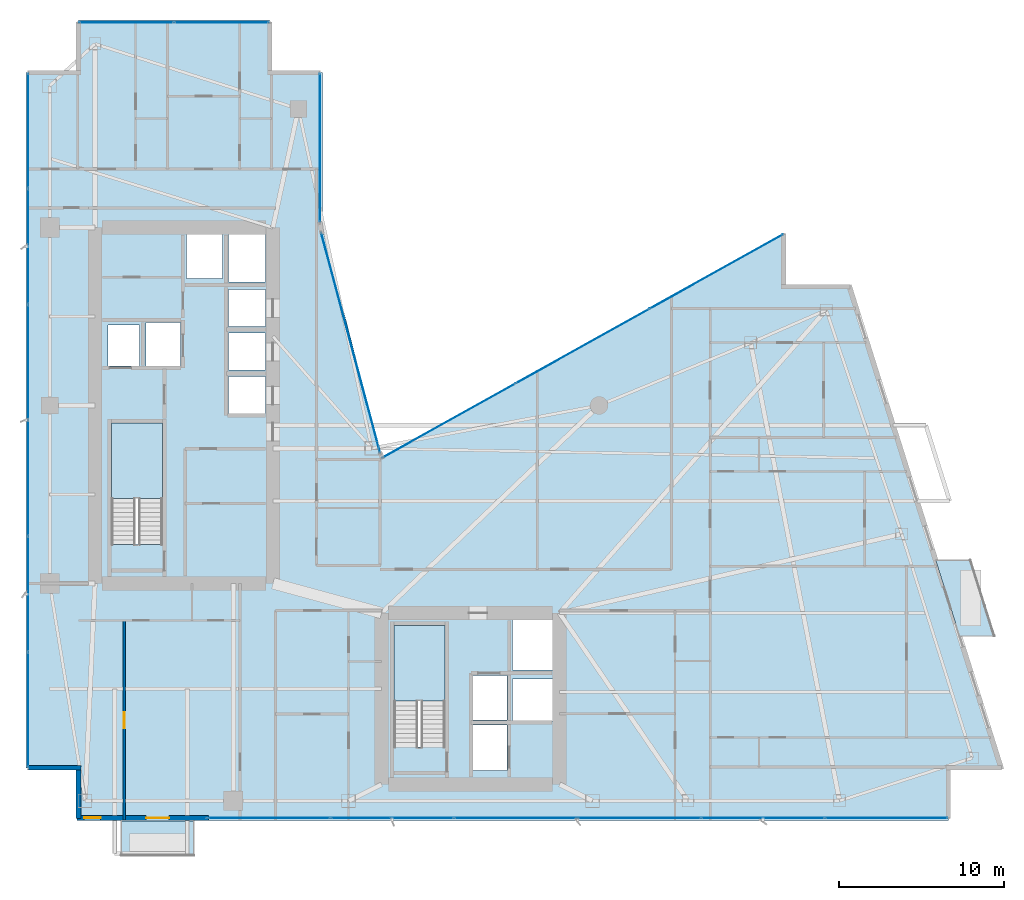
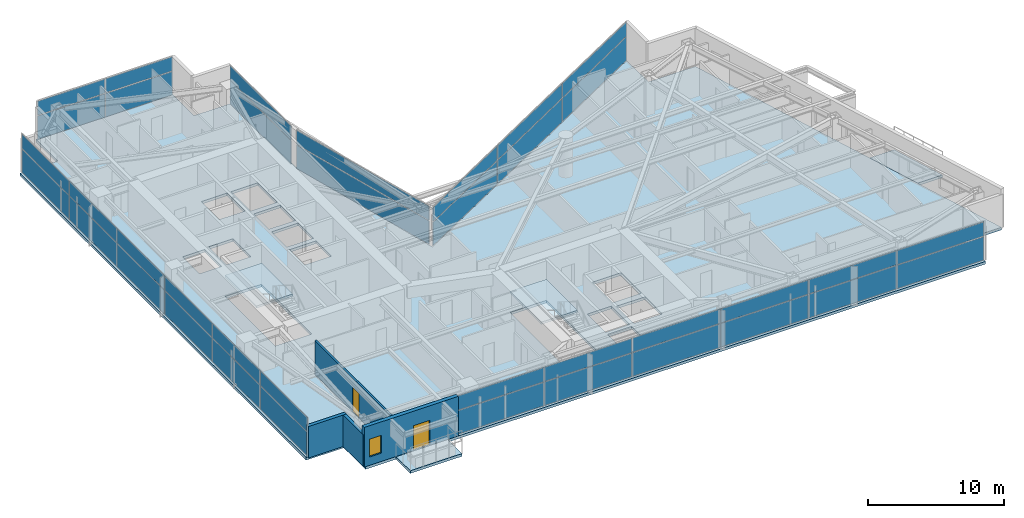
# One storey, part 21 of 28: 38 plates, 5 slabs, 4 walls, 2 doors, 1 window, 3 openings, 8 elements without a shape of their own.
"""IFC4 building model written with IfcOpenShell, lengths in metres."""

from ifc_helpers import new_model, si_unit, direction, frame, frame_2d, origin, origin_2d, place, context, subcontext, project, spatial, polyline, rectangle, outline, extrude, material, layer, layer_set, type_object, element, fill, aggregate, save


model = new_model("IFC4")

# Units and contexts
model_context = context("Model", 3, precision=1e-05, world=origin(), true_north=direction((0.0, 1.0)))
body_context = subcontext(model_context, "Body", "Model", "MODEL_VIEW")
ifc_project = project(units=[si_unit("LENGTHUNIT", "METRE"), si_unit("AREAUNIT", "SQUARE_METRE"), si_unit("VOLUMEUNIT", "CUBIC_METRE"), si_unit("PLANEANGLEUNIT", "RADIAN"), si_unit("MASSUNIT", "GRAM", prefix="KILO")], contexts=[model_context])

# Site, building, storey
site_placement = place(None, origin())
site = spatial("IfcSite", under=ifc_project, at=site_placement, CompositionType="ELEMENT")
building_placement = place(site_placement, origin())
building = spatial("IfcBuilding", under=site, at=building_placement, Name="Calvorn Quay Hotel", CompositionType="ELEMENT")
storey_placement = place(building_placement, frame((0.0, 0.0, 131.60009765625)))
storey = spatial("IfcBuildingStorey", under=building, at=storey_placement, Name="L32", CompositionType="ELEMENT", Elevation=131.60009765625)

# Curtain wall, plates
ifc_material_1 = material(Name="Pale Anodised Aluminium and Low-E Glass", Category="aluminium")
ifc_layer_1 = layer(ifc_material_1, 0.219970703125)
ifc_layer_set_1 = layer_set([ifc_layer_1], Name="CW-SYS-Z2")
curtain_wall_type = type_object("IfcCurtainWallType", Name="CW-SYS-Z2", PredefinedType="NOTDEFINED", material=ifc_layer_set_1)
curtain_wall_1_placement = place(storey_placement, origin())
curtain_wall_1 = element("IfcCurtainWall", 1, at=curtain_wall_1_placement, inside=storey, type_object=curtain_wall_type, Name="Tower West Curtain Wall (L32)", PredefinedType="NOTDEFINED")
ifc_material_2 = material(Name="Low-E Laminated Double Glazing", Category="glass")
ifc_layer_2 = layer(ifc_material_2, 0.028076171875)
ifc_layer_set_2 = layer_set([ifc_layer_2], Name="CW-SYS-Z2-PAN")
plate_type = type_object("IfcPlateType", Name="CW-SYS-Z2-PAN", PredefinedType="CURTAIN_PANEL", material=ifc_layer_set_2)
plate_1_placement = place(storey_placement, frame((0.14990234375, 9.131591796875, 0.06005859375), z_axis=(0.0, 0.0, 1.0), x_axis=(0.0, 1.0, 0.0)))
plate_1 = element("IfcPlate", 2, at=plate_1_placement, type_object=plate_type, Name="CW-L32-W panel 1.1", PredefinedType="CURTAIN_PANEL", context=body_context, shape_type="SweptSolid", body=[
    extrude(rectangle(XDim=6.943359375, YDim=0.028076171875, at=origin_2d()), origin(), (0.0, 0.0, 1.0), 2.110107421875),
])
plate_2_placement = place(storey_placement, frame((0.14990234375, 9.131591796875, 2.22998046875), z_axis=(0.0, 0.0, 1.0), x_axis=(0.0, 1.0, 0.0)))
plate_2 = element("IfcPlate", 3, at=plate_2_placement, type_object=plate_type, Name="CW-L32-W panel 1.2", PredefinedType="CURTAIN_PANEL", context=body_context, shape_type="SweptSolid", body=[
    extrude(rectangle(XDim=6.943359375, YDim=0.028076171875, at=origin_2d()), origin(), (0.0, 0.0, 1.0), 1.27001953125),
])
plate_3_placement = place(storey_placement, frame((0.14990234375, 16.14990234375, 0.06005859375), z_axis=(0.0, 0.0, 1.0), x_axis=(0.0, 1.0, 0.0)))
plate_3 = element("IfcPlate", 4, at=plate_3_placement, type_object=plate_type, Name="CW-L32-W panel 2.1", PredefinedType="CURTAIN_PANEL", context=body_context, shape_type="SweptSolid", body=[
    extrude(rectangle(XDim=6.973388671875, YDim=0.028076171875, at=origin_2d()), origin(), (0.0, 0.0, 1.0), 2.110107421875),
])
plate_4_placement = place(storey_placement, frame((0.14990234375, 16.14990234375, 2.22998046875), z_axis=(0.0, 0.0, 1.0), x_axis=(0.0, 1.0, 0.0)))
plate_4 = element("IfcPlate", 5, at=plate_4_placement, type_object=plate_type, Name="CW-L32-W panel 2.2", PredefinedType="CURTAIN_PANEL", context=body_context, shape_type="SweptSolid", body=[
    extrude(rectangle(XDim=6.973388671875, YDim=0.028076171875, at=origin_2d()), origin(), (0.0, 0.0, 1.0), 1.27001953125),
])
plate_5_placement = place(storey_placement, frame((0.14990234375, 23.183349609375, 0.06005859375), z_axis=(0.0, 0.0, 1.0), x_axis=(0.0, 1.0, 0.0)))
plate_5 = element("IfcPlate", 6, at=plate_5_placement, type_object=plate_type, Name="CW-L32-W panel 3.1", PredefinedType="CURTAIN_PANEL", context=body_context, shape_type="SweptSolid", body=[
    extrude(rectangle(XDim=6.973388671875, YDim=0.028076171875, at=origin_2d()), origin(), (0.0, 0.0, 1.0), 2.110107421875),
])
plate_6_placement = place(storey_placement, frame((0.14990234375, 23.183349609375, 2.22998046875), z_axis=(0.0, 0.0, 1.0), x_axis=(0.0, 1.0, 0.0)))
plate_6 = element("IfcPlate", 7, at=plate_6_placement, type_object=plate_type, Name="CW-L32-W panel 3.2", PredefinedType="CURTAIN_PANEL", context=body_context, shape_type="SweptSolid", body=[
    extrude(rectangle(XDim=6.973388671875, YDim=0.028076171875, at=origin_2d()), origin(), (0.0, 0.0, 1.0), 1.27001953125),
])
plate_7_placement = place(storey_placement, frame((0.14990234375, 30.216552734375, 0.06005859375), z_axis=(0.0, 0.0, 1.0), x_axis=(0.0, 1.0, 0.0)))
plate_7 = element("IfcPlate", 8, at=plate_7_placement, type_object=plate_type, Name="CW-L32-W panel 4.1", PredefinedType="CURTAIN_PANEL", context=body_context, shape_type="SweptSolid", body=[
    extrude(rectangle(XDim=6.973388671875, YDim=0.028076171875, at=origin_2d()), origin(), (0.0, 0.0, 1.0), 2.110107421875),
])
plate_8_placement = place(storey_placement, frame((0.14990234375, 30.216552734375, 2.22998046875), z_axis=(0.0, 0.0, 1.0), x_axis=(0.0, 1.0, 0.0)))
plate_8 = element("IfcPlate", 9, at=plate_8_placement, type_object=plate_type, Name="CW-L32-W panel 4.2", PredefinedType="CURTAIN_PANEL", context=body_context, shape_type="SweptSolid", body=[
    extrude(rectangle(XDim=6.973388671875, YDim=0.028076171875, at=origin_2d()), origin(), (0.0, 0.0, 1.0), 1.27001953125),
])
plate_9_placement = place(storey_placement, frame((0.14990234375, 37.25, 0.06005859375), z_axis=(0.0, 0.0, 1.0), x_axis=(0.0, 1.0, 0.0)))
plate_9 = element("IfcPlate", 10, at=plate_9_placement, type_object=plate_type, Name="CW-L32-W panel 5.1", PredefinedType="CURTAIN_PANEL", context=body_context, shape_type="SweptSolid", body=[
    extrude(rectangle(XDim=6.973388671875, YDim=0.028076171875, at=origin_2d()), origin(), (0.0, 0.0, 1.0), 2.110107421875),
])
plate_10_placement = place(storey_placement, frame((0.14990234375, 37.25, 2.22998046875), z_axis=(0.0, 0.0, 1.0), x_axis=(0.0, 1.0, 0.0)))
plate_10 = element("IfcPlate", 11, at=plate_10_placement, type_object=plate_type, Name="CW-L32-W panel 5.2", PredefinedType="CURTAIN_PANEL", context=body_context, shape_type="SweptSolid", body=[
    extrude(rectangle(XDim=6.973388671875, YDim=0.028076171875, at=origin_2d()), origin(), (0.0, 0.0, 1.0), 1.27001953125),
])
plate_11_placement = place(storey_placement, frame((0.14990234375, 44.268310546875, 0.06005859375), z_axis=(0.0, 0.0, 1.0), x_axis=(0.0, 1.0, 0.0)))
plate_11 = element("IfcPlate", 12, at=plate_11_placement, type_object=plate_type, Name="CW-L32-W panel 6.1", PredefinedType="CURTAIN_PANEL", context=body_context, shape_type="SweptSolid", body=[
    extrude(rectangle(XDim=6.943359375, YDim=0.028076171875, at=origin_2d()), origin(), (0.0, 0.0, 1.0), 2.110107421875),
])
plate_12_placement = place(storey_placement, frame((0.14990234375, 44.268310546875, 2.22998046875), z_axis=(0.0, 0.0, 1.0), x_axis=(0.0, 1.0, 0.0)))
plate_12 = element("IfcPlate", 13, at=plate_12_placement, type_object=plate_type, Name="CW-L32-W panel 6.2", PredefinedType="CURTAIN_PANEL", context=body_context, shape_type="SweptSolid", body=[
    extrude(rectangle(XDim=6.943359375, YDim=0.028076171875, at=origin_2d()), origin(), (0.0, 0.0, 1.0), 1.27001953125),
])
aggregate(curtain_wall_1, [plate_1, plate_2, plate_3, plate_4, plate_5, plate_6, plate_7, plate_8, plate_9, plate_10, plate_11, plate_12])

curtain_wall_2_placement = place(storey_placement, origin())
curtain_wall_2 = element("IfcCurtainWall", 14, at=curtain_wall_2_placement, inside=storey, type_object=curtain_wall_type, Name="Tower South Waterfront Curtain Wall (L32)", PredefinedType="NOTDEFINED")
plate_13_placement = place(storey_placement, frame((14.764892578125, 2.550048828125, 0.06005859375), z_axis=(0.0, 0.0, 1.0), x_axis=(1.0, 0.0, 0.0)))
plate_13 = element("IfcPlate", 15, at=plate_13_placement, type_object=plate_type, Name="CW-L32-S panel 1.1", PredefinedType="CURTAIN_PANEL", context=body_context, shape_type="SweptSolid", body=[
    extrude(rectangle(XDim=7.409912109375, YDim=0.028076171875, at=origin_2d()), origin(), (0.0, 0.0, 1.0), 2.110107421875),
])
plate_14_placement = place(storey_placement, frame((14.764892578125, 2.550048828125, 2.22998046875), z_axis=(0.0, 0.0, 1.0), x_axis=(1.0, 0.0, 0.0)))
plate_14 = element("IfcPlate", 16, at=plate_14_placement, type_object=plate_type, Name="CW-L32-S panel 1.2", PredefinedType="CURTAIN_PANEL", context=body_context, shape_type="SweptSolid", body=[
    extrude(rectangle(XDim=7.409912109375, YDim=0.028076171875, at=origin_2d()), origin(), (0.0, 0.0, 1.0), 1.27001953125),
])
plate_15_placement = place(storey_placement, frame((22.25, 2.550048828125, 0.06005859375), z_axis=(0.0, 0.0, 1.0), x_axis=(1.0, 0.0, 0.0)))
plate_15 = element("IfcPlate", 17, at=plate_15_placement, type_object=plate_type, Name="CW-L32-S panel 2.1", PredefinedType="CURTAIN_PANEL", context=body_context, shape_type="SweptSolid", body=[
    extrude(rectangle(XDim=7.43994140625, YDim=0.028076171875, at=origin_2d()), origin(), (0.0, 0.0, 1.0), 2.110107421875),
])
plate_16_placement = place(storey_placement, frame((22.25, 2.550048828125, 2.22998046875), z_axis=(0.0, 0.0, 1.0), x_axis=(1.0, 0.0, 0.0)))
plate_16 = element("IfcPlate", 18, at=plate_16_placement, type_object=plate_type, Name="CW-L32-S panel 2.2", PredefinedType="CURTAIN_PANEL", context=body_context, shape_type="SweptSolid", body=[
    extrude(rectangle(XDim=7.43994140625, YDim=0.028076171875, at=origin_2d()), origin(), (0.0, 0.0, 1.0), 1.27001953125),
])
plate_17_placement = place(storey_placement, frame((29.75, 2.550048828125, 0.06005859375), z_axis=(0.0, 0.0, 1.0), x_axis=(1.0, 0.0, 0.0)))
plate_17 = element("IfcPlate", 19, at=plate_17_placement, type_object=plate_type, Name="CW-L32-S panel 3.1", PredefinedType="CURTAIN_PANEL", context=body_context, shape_type="SweptSolid", body=[
    extrude(rectangle(XDim=7.43994140625, YDim=0.028076171875, at=origin_2d()), origin(), (0.0, 0.0, 1.0), 2.110107421875),
])
plate_18_placement = place(storey_placement, frame((29.75, 2.550048828125, 2.22998046875), z_axis=(0.0, 0.0, 1.0), x_axis=(1.0, 0.0, 0.0)))
plate_18 = element("IfcPlate", 20, at=plate_18_placement, type_object=plate_type, Name="CW-L32-S panel 3.2", PredefinedType="CURTAIN_PANEL", context=body_context, shape_type="SweptSolid", body=[
    extrude(rectangle(XDim=7.43994140625, YDim=0.028076171875, at=origin_2d()), origin(), (0.0, 0.0, 1.0), 1.27001953125),
])
plate_19_placement = place(storey_placement, frame((37.25, 2.550048828125, 0.06005859375), z_axis=(0.0, 0.0, 1.0), x_axis=(1.0, 0.0, 0.0)))
plate_19 = element("IfcPlate", 21, at=plate_19_placement, type_object=plate_type, Name="CW-L32-S panel 4.1", PredefinedType="CURTAIN_PANEL", context=body_context, shape_type="SweptSolid", body=[
    extrude(rectangle(XDim=7.43994140625, YDim=0.028076171875, at=origin_2d()), origin(), (0.0, 0.0, 1.0), 2.110107421875),
])
plate_20_placement = place(storey_placement, frame((37.25, 2.550048828125, 2.22998046875), z_axis=(0.0, 0.0, 1.0), x_axis=(1.0, 0.0, 0.0)))
plate_20 = element("IfcPlate", 22, at=plate_20_placement, type_object=plate_type, Name="CW-L32-S panel 4.2", PredefinedType="CURTAIN_PANEL", context=body_context, shape_type="SweptSolid", body=[
    extrude(rectangle(XDim=7.43994140625, YDim=0.028076171875, at=origin_2d()), origin(), (0.0, 0.0, 1.0), 1.27001953125),
])
plate_21_placement = place(storey_placement, frame((44.75, 2.550048828125, 0.06005859375), z_axis=(0.0, 0.0, 1.0), x_axis=(1.0, 0.0, 0.0)))
plate_21 = element("IfcPlate", 23, at=plate_21_placement, type_object=plate_type, Name="CW-L32-S panel 5.1", PredefinedType="CURTAIN_PANEL", context=body_context, shape_type="SweptSolid", body=[
    extrude(rectangle(XDim=7.43994140625, YDim=0.028076171875, at=origin_2d()), origin(), (0.0, 0.0, 1.0), 2.110107421875),
])
plate_22_placement = place(storey_placement, frame((44.75, 2.550048828125, 2.22998046875), z_axis=(0.0, 0.0, 1.0), x_axis=(1.0, 0.0, 0.0)))
plate_22 = element("IfcPlate", 24, at=plate_22_placement, type_object=plate_type, Name="CW-L32-S panel 5.2", PredefinedType="CURTAIN_PANEL", context=body_context, shape_type="SweptSolid", body=[
    extrude(rectangle(XDim=7.43994140625, YDim=0.028076171875, at=origin_2d()), origin(), (0.0, 0.0, 1.0), 1.27001953125),
])
plate_23_placement = place(storey_placement, frame((52.235107421875, 2.550048828125, 0.06005859375), z_axis=(0.0, 0.0, 1.0), x_axis=(1.0, 0.0, 0.0)))
plate_23 = element("IfcPlate", 25, at=plate_23_placement, type_object=plate_type, Name="CW-L32-S panel 6.1", PredefinedType="CURTAIN_PANEL", context=body_context, shape_type="SweptSolid", body=[
    extrude(rectangle(XDim=7.409912109375, YDim=0.028076171875, at=origin_2d()), origin(), (0.0, 0.0, 1.0), 2.110107421875),
])
plate_24_placement = place(storey_placement, frame((52.235107421875, 2.550048828125, 2.22998046875), z_axis=(0.0, 0.0, 1.0), x_axis=(1.0, 0.0, 0.0)))
plate_24 = element("IfcPlate", 26, at=plate_24_placement, type_object=plate_type, Name="CW-L32-S panel 6.2", PredefinedType="CURTAIN_PANEL", context=body_context, shape_type="SweptSolid", body=[
    extrude(rectangle(XDim=7.409912109375, YDim=0.028076171875, at=origin_2d()), origin(), (0.0, 0.0, 1.0), 1.27001953125),
])
aggregate(curtain_wall_2, [plate_13, plate_14, plate_15, plate_16, plate_17, plate_18, plate_19, plate_20, plate_21, plate_22, plate_23, plate_24])

curtain_wall_3_placement = place(storey_placement, origin())
curtain_wall_3 = element("IfcCurtainWall", 27, at=curtain_wall_3_placement, inside=storey, type_object=curtain_wall_type, Name="Inner Court Curtain Wall L32-NE1", PredefinedType="NOTDEFINED")
plate_25_placement = place(storey_placement, frame((41.920166015625, 35.72607421875, 0.06005859375), z_axis=(0.0, 0.0, 1.0), x_axis=(-0.873480989116, -0.486858256224, 0.0)))
plate_25 = element("IfcPlate", 28, at=plate_25_placement, type_object=plate_type, Name="CW-L32-NE1 panel 1.1", PredefinedType="CURTAIN_PANEL", context=body_context, shape_type="SweptSolid", body=[
    extrude(rectangle(XDim=9.221435546875, YDim=0.028076171875, at=origin_2d()), origin(), (0.0, 0.0, 1.0), 2.110107421875),
])
plate_26_placement = place(storey_placement, frame((41.920166015625, 35.72607421875, 2.22998046875), z_axis=(0.0, 0.0, 1.0), x_axis=(-0.873480989116, -0.486858256224, 0.0)))
plate_26 = element("IfcPlate", 29, at=plate_26_placement, type_object=plate_type, Name="CW-L32-NE1 panel 1.2", PredefinedType="CURTAIN_PANEL", context=body_context, shape_type="SweptSolid", body=[
    extrude(rectangle(XDim=9.221435546875, YDim=0.028076171875, at=origin_2d()), origin(), (0.0, 0.0, 1.0), 1.27001953125),
])
plate_27_placement = place(storey_placement, frame((33.800048828125, 31.199951171875, 0.06005859375), z_axis=(0.0, 0.0, 1.0), x_axis=(-0.873480989116, -0.486858256224, 0.0)))
plate_27 = element("IfcPlate", 30, at=plate_27_placement, type_object=plate_type, Name="CW-L32-NE1 panel 2.1", PredefinedType="CURTAIN_PANEL", context=body_context, shape_type="SweptSolid", body=[
    extrude(rectangle(XDim=9.25146484375, YDim=0.028076171875, at=origin_2d()), origin(), (0.0, 0.0, 1.0), 2.110107421875),
])
plate_28_placement = place(storey_placement, frame((33.800048828125, 31.199951171875, 2.22998046875), z_axis=(0.0, 0.0, 1.0), x_axis=(-0.873480989116, -0.486858256224, 0.0)))
plate_28 = element("IfcPlate", 31, at=plate_28_placement, type_object=plate_type, Name="CW-L32-NE1 panel 2.2", PredefinedType="CURTAIN_PANEL", context=body_context, shape_type="SweptSolid", body=[
    extrude(rectangle(XDim=9.25146484375, YDim=0.028076171875, at=origin_2d()), origin(), (0.0, 0.0, 1.0), 1.27001953125),
])
plate_29_placement = place(storey_placement, frame((25.6796875, 26.674072265625, 0.06005859375), z_axis=(0.0, 0.0, 1.0), x_axis=(-0.873480989116, -0.486858256224, 0.0)))
plate_29 = element("IfcPlate", 32, at=plate_29_placement, type_object=plate_type, Name="CW-L32-NE1 panel 3.1", PredefinedType="CURTAIN_PANEL", context=body_context, shape_type="SweptSolid", body=[
    extrude(rectangle(XDim=9.221435546875, YDim=0.028076171875, at=origin_2d()), origin(), (0.0, 0.0, 1.0), 2.110107421875),
])
plate_30_placement = place(storey_placement, frame((25.6796875, 26.674072265625, 2.22998046875), z_axis=(0.0, 0.0, 1.0), x_axis=(-0.873480989116, -0.486858256224, 0.0)))
plate_30 = element("IfcPlate", 33, at=plate_30_placement, type_object=plate_type, Name="CW-L32-NE1 panel 3.2", PredefinedType="CURTAIN_PANEL", context=body_context, shape_type="SweptSolid", body=[
    extrude(rectangle(XDim=9.221435546875, YDim=0.028076171875, at=origin_2d()), origin(), (0.0, 0.0, 1.0), 1.27001953125),
])
aggregate(curtain_wall_3, [plate_25, plate_26, plate_27, plate_28, plate_29, plate_30])

curtain_wall_4_placement = place(storey_placement, origin())
curtain_wall_4 = element("IfcCurtainWall", 34, at=curtain_wall_4_placement, inside=storey, type_object=curtain_wall_type, Name="Inner Court Curtain Wall L32-IC1", PredefinedType="NOTDEFINED")
plate_31_placement = place(storey_placement, frame((19.72509765625, 31.39990234375, 0.06005859375), z_axis=(0.0, 0.0, 1.0), x_axis=(-0.25877913024, 0.96593652056, 0.0)))
plate_31 = element("IfcPlate", 35, at=plate_31_placement, type_object=plate_type, Name="CW-L32-IC1 panel 1.1", PredefinedType="CURTAIN_PANEL", context=body_context, shape_type="SweptSolid", body=[
    extrude(rectangle(XDim=13.814697265625, YDim=0.028076171875, at=origin_2d()), origin(), (0.0, 0.0, 1.0), 2.110107421875),
])
plate_32_placement = place(storey_placement, frame((19.72509765625, 31.39990234375, 2.22998046875), z_axis=(0.0, 0.0, 1.0), x_axis=(-0.25877913024, 0.96593652056, 0.0)))
plate_32 = element("IfcPlate", 36, at=plate_32_placement, type_object=plate_type, Name="CW-L32-IC1 panel 1.2", PredefinedType="CURTAIN_PANEL", context=body_context, shape_type="SweptSolid", body=[
    extrude(rectangle(XDim=13.814697265625, YDim=0.028076171875, at=origin_2d()), origin(), (0.0, 0.0, 1.0), 1.27001953125),
])
aggregate(curtain_wall_4, [plate_31, plate_32])

curtain_wall_5_placement = place(storey_placement, origin())
curtain_wall_5 = element("IfcCurtainWall", 37, at=curtain_wall_5_placement, inside=storey, type_object=curtain_wall_type, Name="Inner Court Curtain Wall L32-IC2", PredefinedType="NOTDEFINED")
plate_33_placement = place(storey_placement, frame((17.85009765625, 43.239990234375, 0.06005859375), z_axis=(0.0, 0.0, 1.0), x_axis=(0.0, 1.0, 0.0)))
plate_33 = element("IfcPlate", 38, at=plate_33_placement, type_object=plate_type, Name="CW-L32-IC2 panel 1.1", PredefinedType="CURTAIN_PANEL", context=body_context, shape_type="SweptSolid", body=[
    extrude(rectangle(XDim=9.0, YDim=0.028076171875, at=origin_2d()), origin(), (0.0, 0.0, 1.0), 2.110107421875),
])
plate_34_placement = place(storey_placement, frame((17.85009765625, 43.239990234375, 2.22998046875), z_axis=(0.0, 0.0, 1.0), x_axis=(0.0, 1.0, 0.0)))
plate_34 = element("IfcPlate", 39, at=plate_34_placement, type_object=plate_type, Name="CW-L32-IC2 panel 1.2", PredefinedType="CURTAIN_PANEL", context=body_context, shape_type="SweptSolid", body=[
    extrude(rectangle(XDim=9.0, YDim=0.028076171875, at=origin_2d()), origin(), (0.0, 0.0, 1.0), 1.27001953125),
])
aggregate(curtain_wall_5, [plate_33, plate_34])

curtain_wall_6_placement = place(storey_placement, origin())
curtain_wall_6 = element("IfcCurtainWall", 40, at=curtain_wall_6_placement, inside=storey, type_object=curtain_wall_type, Name="Inner Court Curtain Wall L32-N1", PredefinedType="NOTDEFINED")
plate_35_placement = place(storey_placement, frame((11.885009765625, 50.85009765625, 0.06005859375), z_axis=(0.0, 0.0, 1.0), x_axis=(-1.0, 0.0, 0.0)))
plate_35 = element("IfcPlate", 41, at=plate_35_placement, type_object=plate_type, Name="CW-L32-N1 panel 1.1", PredefinedType="CURTAIN_PANEL", context=body_context, shape_type="SweptSolid", body=[
    extrude(rectangle(XDim=5.7099609375, YDim=0.028076171875, at=origin_2d()), origin(), (0.0, 0.0, 1.0), 2.110107421875),
])
plate_36_placement = place(storey_placement, frame((11.885009765625, 50.85009765625, 2.22998046875), z_axis=(0.0, 0.0, 1.0), x_axis=(-1.0, 0.0, 0.0)))
plate_36 = element("IfcPlate", 42, at=plate_36_placement, type_object=plate_type, Name="CW-L32-N1 panel 1.2", PredefinedType="CURTAIN_PANEL", context=body_context, shape_type="SweptSolid", body=[
    extrude(rectangle(XDim=5.7099609375, YDim=0.028076171875, at=origin_2d()), origin(), (0.0, 0.0, 1.0), 1.27001953125),
])
plate_37_placement = place(storey_placement, frame((6.114990234375, 50.85009765625, 0.06005859375), z_axis=(0.0, 0.0, 1.0), x_axis=(-1.0, 0.0, 0.0)))
plate_37 = element("IfcPlate", 43, at=plate_37_placement, type_object=plate_type, Name="CW-L32-N1 panel 2.1", PredefinedType="CURTAIN_PANEL", context=body_context, shape_type="SweptSolid", body=[
    extrude(rectangle(XDim=5.7099609375, YDim=0.028076171875, at=origin_2d()), origin(), (0.0, 0.0, 1.0), 2.110107421875),
])
plate_38_placement = place(storey_placement, frame((6.114990234375, 50.85009765625, 2.22998046875), z_axis=(0.0, 0.0, 1.0), x_axis=(-1.0, 0.0, 0.0)))
plate_38 = element("IfcPlate", 44, at=plate_38_placement, type_object=plate_type, Name="CW-L32-N1 panel 2.2", PredefinedType="CURTAIN_PANEL", context=body_context, shape_type="SweptSolid", body=[
    extrude(rectangle(XDim=5.7099609375, YDim=0.028076171875, at=origin_2d()), origin(), (0.0, 0.0, 1.0), 1.27001953125),
])
aggregate(curtain_wall_6, [plate_35, plate_36, plate_37, plate_38])

# Slabs
ifc_material_3 = material(Name="Concrete C40", Category="concrete")
ifc_layer_3 = layer(ifc_material_3, 0.239990234375)
ifc_layer_set_3 = layer_set([ifc_layer_3], Name="SLB-BALCONY-220")
slab_type_1 = type_object("IfcSlabType", Name="SLB-BALCONY-220", PredefinedType="FLOOR", material=ifc_layer_set_3)
slab_1_placement = place(storey_placement, frame((0.0, 0.0, -0.239990234375)))
element("IfcSlab", 45, at=slab_1_placement, inside=storey, type_object=slab_type_1, Name="Tree Balcony Slab L32-BALC-E", PredefinedType="FLOOR", context=body_context, shape_type="SweptSolid", body=[
    extrude(outline(polyline([(56.68896484375, 13.60009765625), (58.7890625, 13.60009765625), (57.340087890625, 18.199951171875), (55.239990234375, 18.199951171875), (56.68896484375, 13.60009765625)])), origin(), (0.0, 0.0, 1.0), 0.239990234375),
])
slab_2_placement = place(storey_placement, frame((0.0, 0.0, -0.239990234375)))
element("IfcSlab", 46, at=slab_2_placement, inside=storey, type_object=slab_type_1, Name="Tree Balcony Slab L32-BALC-S", PredefinedType="FLOOR", context=body_context, shape_type="SweptSolid", body=[
    extrude(outline(polyline([(5.800048828125, 0.2900390625), (10.199951171875, 0.2900390625), (10.199951171875, 2.389892578125), (5.800048828125, 2.389892578125), (5.800048828125, 0.2900390625)])), origin(), (0.0, 0.0, 1.0), 0.239990234375),
])

# Stair, slab
ifc_material_4 = material(Name="Concrete C40", Category="concrete")
stair_type = type_object("IfcStairType", Name="STR-CORE-DOGLEG", PredefinedType="HALF_TURN_STAIR", material=ifc_material_4)
stair_1_placement = place(storey_placement, origin())
stair_1 = element("IfcStair", 47, at=stair_1_placement, inside=storey, type_object=stair_type, Name="L32 ST-W", PredefinedType="HALF_TURN_STAIR")
ifc_material_5 = material(Name="Concrete C40", Category="concrete")
ifc_layer_4 = layer(ifc_material_5, 0.199951171875)
ifc_layer_set_4 = layer_set([ifc_layer_4], Name="SLB-STAIR-LANDING-200")
slab_type_2 = type_object("IfcSlabType", Name="SLB-STAIR-LANDING-200", PredefinedType="LANDING", material=ifc_layer_set_4)
slab_3_placement = place(storey_placement, frame((0.0, 0.0, 1.699951171875)))
slab_3 = element("IfcSlab", 48, at=slab_3_placement, type_object=slab_type_2, Name="ST-W landing 1", PredefinedType="LANDING", context=body_context, shape_type="SweptSolid", body=[
    extrude(outline(polyline([(8.300048828125, 21.949951171875), (8.300048828125, 26.550048828125), (5.199951171875, 26.550048828125), (5.199951171875, 21.949951171875), (8.300048828125, 21.949951171875)])), origin(), (0.0, 0.0, 1.0), 0.199951171875),
])
aggregate(stair_1, [slab_3])

stair_2_placement = place(storey_placement, origin())
stair_2 = element("IfcStair", 49, at=stair_2_placement, inside=storey, type_object=stair_type, Name="L32 ST-E", PredefinedType="HALF_TURN_STAIR")
slab_4_placement = place(storey_placement, frame((0.0, 0.0, 1.699951171875)))
slab_4 = element("IfcSlab", 50, at=slab_4_placement, type_object=slab_type_2, Name="ST-E landing 1", PredefinedType="LANDING", context=body_context, shape_type="SweptSolid", body=[
    extrude(outline(polyline([(25.449951171875, 9.64990234375), (25.449951171875, 14.25), (22.35009765625, 14.25), (22.35009765625, 9.64990234375), (25.449951171875, 9.64990234375)])), origin(), (0.0, 0.0, 1.0), 0.199951171875),
])
aggregate(stair_2, [slab_4])

# Slab
ifc_material_6 = material(Name="Concrete C40", Category="concrete")
ifc_layer_5 = layer(ifc_material_6, 0.239990234375)
ifc_layer_set_5 = layer_set([ifc_layer_5], Name="SLB-TOWER-240")
slab_type_3 = type_object("IfcSlabType", Name="SLB-TOWER-240", PredefinedType="FLOOR", material=ifc_layer_set_5)
slab_5_placement = place(storey_placement, frame((0.0, 0.0, -0.239990234375)))
element("IfcSlab", 51, at=slab_5_placement, inside=storey, type_object=slab_type_3, Name="L32 Structural Floor Slab", PredefinedType="FLOOR", context=body_context, shape_type="SweptSolid", body=[
    extrude(outline(polyline([(0.0, 5.60009765625), (3.199951171875, 5.60009765625), (3.199951171875, 2.39990234375), (56.0, 2.39990234375), (56.0, 5.60009765625), (59.199951171875, 5.60009765625), (50.0, 34.800048828125), (46.0, 34.800048828125), (46.0, 38.0), (21.60009765625, 24.39990234375), (18.0, 38.39990234375), (18.0, 47.800048828125), (14.800048828125, 47.800048828125), (14.800048828125, 51.0), (3.199951171875, 51.0), (3.199951171875, 47.800048828125), (0.0, 47.800048828125), (0.0, 5.60009765625)]), holes=[polyline([(5.199951171875, 19.156005859375), (8.300048828125, 19.156005859375), (8.300048828125, 26.550048828125), (5.199951171875, 26.550048828125), (5.199951171875, 19.156005859375)]), polyline([(22.35009765625, 6.85595703125), (25.449951171875, 6.85595703125), (25.449951171875, 14.25), (22.35009765625, 14.25), (22.35009765625, 6.85595703125)]), polyline([(5.0, 30.0), (6.89990234375, 30.0), (6.89990234375, 32.5), (5.0, 32.5), (5.0, 30.0)]), polyline([(7.300048828125, 30.0), (9.39990234375, 30.0), (9.39990234375, 32.64990234375), (7.300048828125, 32.64990234375), (7.300048828125, 30.0)]), polyline([(27.159912109375, 8.5), (29.2099609375, 8.5), (29.2099609375, 11.199951171875), (27.159912109375, 11.199951171875), (27.159912109375, 8.5)]), polyline([(27.159912109375, 5.449951171875), (29.2099609375, 5.449951171875), (29.2099609375, 8.199951171875), (27.159912109375, 8.199951171875), (27.159912109375, 5.449951171875)]), polyline([(12.300048828125, 27.10009765625), (14.56494140625, 27.10009765625), (14.56494140625, 29.35009765625), (12.300048828125, 29.35009765625), (12.300048828125, 27.10009765625)]), polyline([(12.300048828125, 29.75), (14.56494140625, 29.75), (14.56494140625, 32.0), (12.300048828125, 32.0), (12.300048828125, 29.75)]), polyline([(12.300048828125, 32.39990234375), (14.56494140625, 32.39990234375), (14.56494140625, 34.64990234375), (12.300048828125, 34.64990234375), (12.300048828125, 32.39990234375)]), polyline([(12.300048828125, 35.10009765625), (14.56494140625, 35.10009765625), (14.56494140625, 37.965087890625), (12.300048828125, 37.965087890625), (12.300048828125, 35.10009765625)]), polyline([(9.75, 35.300048828125), (11.949951171875, 35.300048828125), (11.949951171875, 37.965087890625), (9.75, 37.965087890625), (9.75, 35.300048828125)]), polyline([(29.550048828125, 11.550048828125), (31.965087890625, 11.550048828125), (31.965087890625, 14.56494140625), (29.550048828125, 14.56494140625), (29.550048828125, 11.550048828125)]), polyline([(29.550048828125, 8.449951171875), (31.965087890625, 8.449951171875), (31.965087890625, 11.0), (29.550048828125, 11.0), (29.550048828125, 8.449951171875)])]), origin(), (0.0, 0.0, 1.0), 0.239990234375),
])

# Wall, openings, door, window
ifc_material_7 = material(Name="Concrete C40", Category="concrete")
ifc_layer_6 = layer(ifc_material_7, 0.320068359375)
ifc_layer_set_6 = layer_set([ifc_layer_6], Name="WL-EXT-SPANDREL-320")
wall_type_1 = type_object("IfcWallType", Name="WL-EXT-SPANDREL-320", PredefinedType="SOLIDWALL", material=ifc_layer_set_6)
wall_1_placement = place(storey_placement, frame((3.10009765625, 2.56005859375, 0.0), z_axis=(0.0, 0.0, 1.0), x_axis=(1.0, 0.0, 0.0)))
wall_1 = element("IfcWall", 52, at=wall_1_placement, inside=storey, type_object=wall_type_1, Name="South Balcony Exterior Wall (L32)", PredefinedType="SOLIDWALL", context=body_context, shape_type="SweptSolid", body=[
    extrude(rectangle(XDim=8.0, YDim=0.320068359375, at=frame_2d((4.0, 0.0))), origin(), (0.0, 0.0, 1.0), 3.559814453125),
])
opening_1_placement = place(wall_1_placement, frame((0.449951171875, 0.0, 0.75)))
opening_1 = element("IfcOpeningElement", 53, at=opening_1_placement, cuts=wall_1, Name="Opening WSB-L32-1", PredefinedType="OPENING", context=body_context, shape_type="SweptSolid", body=[
    extrude(rectangle(XDim=1.0, YDim=1.60009765625, at=frame_2d((0.5, 0.800048828125))), frame((0.0, 0.169921875, 0.0), z_axis=(0.0, -1.0, 0.0), x_axis=(1.0, 0.0, 0.0)), (0.0, 0.0, 1.0), 0.340087890625),
])
opening_2_placement = place(wall_1_placement, frame((4.199951171875, 0.0, 0.0)))
opening_2 = element("IfcOpeningElement", 54, at=opening_2_placement, cuts=wall_1, Name="Opening DB-L32-2", PredefinedType="OPENING", context=body_context, shape_type="SweptSolid", body=[
    extrude(rectangle(XDim=1.39990234375, YDim=2.25, at=frame_2d((0.699951171875, 1.125))), frame((0.0, 0.169921875, 0.0), z_axis=(0.0, -1.0, 0.0), x_axis=(1.0, 0.0, 0.0)), (0.0, 0.0, 1.0), 0.340087890625),
])
ifc_material_8 = material(Name="Typhoon-Rated Low-E Aluminium Terrace Door", Category="aluminium")
door_type_1 = type_object("IfcDoorType", Name="DR-BALCONY-GLZ-1400", OperationType="NOTDEFINED", PredefinedType="DOOR", material=ifc_material_8)
door_1_placement = place(opening_2_placement, origin())
door_1 = element("IfcDoor", 55, at=door_1_placement, inside=storey, type_object=door_type_1, Name="Tree Balcony Terrace Door L32-BALC-S", OperationType="SINGLE_SWING_LEFT", OverallHeight=2.25, OverallWidth=1.39990234375, PredefinedType="DOOR", context=body_context, shape_type="SweptSolid", body=[
    extrude(rectangle(XDim=1.39990234375, YDim=2.25, at=frame_2d((0.699951171875, 1.125))), frame((0.0, 0.02490234375, 0.0), z_axis=(0.0, -1.0, 0.0), x_axis=(1.0, 0.0, 0.0)), (0.0, 0.0, 1.0), 0.050048828125),
])
fill(opening_2, door_1)
ifc_material_9 = material(Name="Self-Closing Class B Side Fire Window")
window_type = type_object("IfcWindowType", Name="WIN-REFUGE-NARROW-1000x1600", PartitioningType="SINGLE_PANEL", PredefinedType="WINDOW", material=ifc_material_9)
window_placement = place(opening_1_placement, origin())
window = element("IfcWindow", 56, at=window_placement, inside=storey, type_object=window_type, Name="South Waterfront Side Window (L32)", OverallHeight=1.60009765625, OverallWidth=1.0, PartitioningType="SINGLE_PANEL", PredefinedType="WINDOW", context=body_context, shape_type="SweptSolid", body=[
    extrude(rectangle(XDim=1.0, YDim=1.60009765625, at=frame_2d((0.5, 0.800048828125))), frame((0.0, 0.030029296875, 0.0), z_axis=(0.0, -1.0, 0.0), x_axis=(1.0, 0.0, 0.0)), (0.0, 0.0, 1.0), 0.06005859375),
])
fill(opening_1, window)

# Walls
wall_2_placement = place(storey_placement, frame((0.1201171875, 5.60009765625, 0.0), z_axis=(0.0, 0.0, 1.0), x_axis=(1.0, 0.0, 0.0)))
element("IfcWall", 57, at=wall_2_placement, inside=storey, type_object=wall_type_1, Name="Notched Corner Spandrel L32-SW1", PredefinedType="SOLIDWALL", context=body_context, shape_type="SweptSolid", body=[
    extrude(rectangle(XDim=3.219970703125, YDim=0.280029296875, at=frame_2d((1.60986328125, 0.0))), origin(), (0.0, 0.0, 1.0), 2.83984375),
])
wall_3_placement = place(storey_placement, frame((3.199951171875, 5.4599609375, 0.0), z_axis=(0.0, 0.0, 1.0), x_axis=(0.0, -1.0, 0.0)))
element("IfcWall", 58, at=wall_3_placement, inside=storey, type_object=wall_type_1, Name="Notched Corner Spandrel L32-SW2", PredefinedType="SOLIDWALL", context=body_context, shape_type="SweptSolid", body=[
    extrude(rectangle(XDim=2.93994140625, YDim=0.280029296875, at=frame_2d((1.469970703125, 0.0))), origin(), (0.0, 0.0, 1.0), 2.83984375),
])

# Wall, opening, door
ifc_material_10 = material(Name="Double-Stud Acoustic Gypsum Partition")
ifc_layer_7 = layer(ifc_material_10, 0.159912109375)
ifc_layer_set_7 = layer_set([ifc_layer_7], Name="WL-INTERSUITE-160")
wall_type_2 = type_object("IfcWallType", Name="WL-INTERSUITE-160", PredefinedType="PARTITIONING", material=ifc_layer_set_7)
wall_4_placement = place(storey_placement, frame((5.97998046875, 2.43994140625, 0.0), z_axis=(0.0, 0.0, 1.0), x_axis=(0.0, 1.0, 0.0)))
wall_4 = element("IfcWall", 59, at=wall_4_placement, inside=storey, type_object=wall_type_2, Name="Partition Wall L32-WL-U01-MSP", PredefinedType="PARTITIONING", context=body_context, shape_type="SweptSolid", body=[
    extrude(rectangle(XDim=12.110107421875, YDim=0.159912109375, at=frame_2d((6.05517578125, 0.0))), origin(), (0.0, 0.0, 1.0), 3.039794921875),
])
opening_3_placement = place(wall_4_placement, frame((5.580078125, 0.0, 0.0)))
opening_3 = element("IfcOpeningElement", 60, at=opening_3_placement, cuts=wall_4, Name="Opening D-L32-M01", PredefinedType="OPENING", context=body_context, shape_type="SweptSolid", body=[
    extrude(rectangle(XDim=0.9599609375, YDim=2.199951171875, at=frame_2d((0.47998046875, 1.10009765625))), frame((0.0, 0.08984375, 0.0), z_axis=(0.0, -1.0, 0.0), x_axis=(1.0, 0.0, 0.0)), (0.0, 0.0, 1.0), 0.179931640625),
])
ifc_material_11 = material(Name="Solid Timber Internal Suite Door", Category="wood")
door_type_2 = type_object("IfcDoorType", Name="DR-SUITE-INT-960", OperationType="NOTDEFINED", PredefinedType="DOOR", material=ifc_material_11)
door_2_placement = place(opening_3_placement, origin())
door_2 = element("IfcDoor", 61, at=door_2_placement, inside=storey, type_object=door_type_2, Name="Suite Bedroom Door 01", OperationType="SINGLE_SWING_LEFT", OverallHeight=2.199951171875, OverallWidth=0.9599609375, PredefinedType="DOOR", context=body_context, shape_type="SweptSolid", body=[
    extrude(rectangle(XDim=0.9599609375, YDim=2.199951171875, at=frame_2d((0.47998046875, 1.10009765625))), frame((0.0, 0.02490234375, 0.0), z_axis=(0.0, -1.0, 0.0), x_axis=(1.0, 0.0, 0.0)), (0.0, 0.0, 1.0), 0.050048828125),
])
fill(opening_3, door_2)

save(model, "model.ifc")
